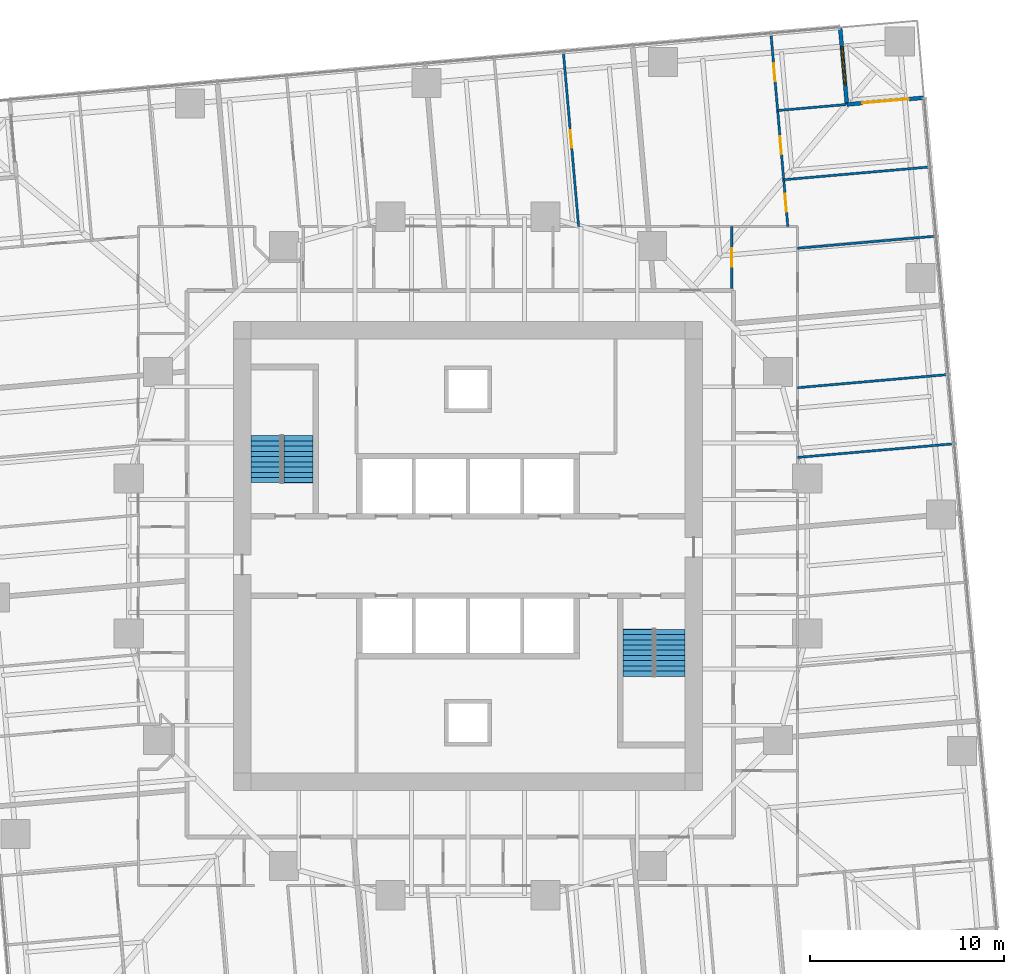
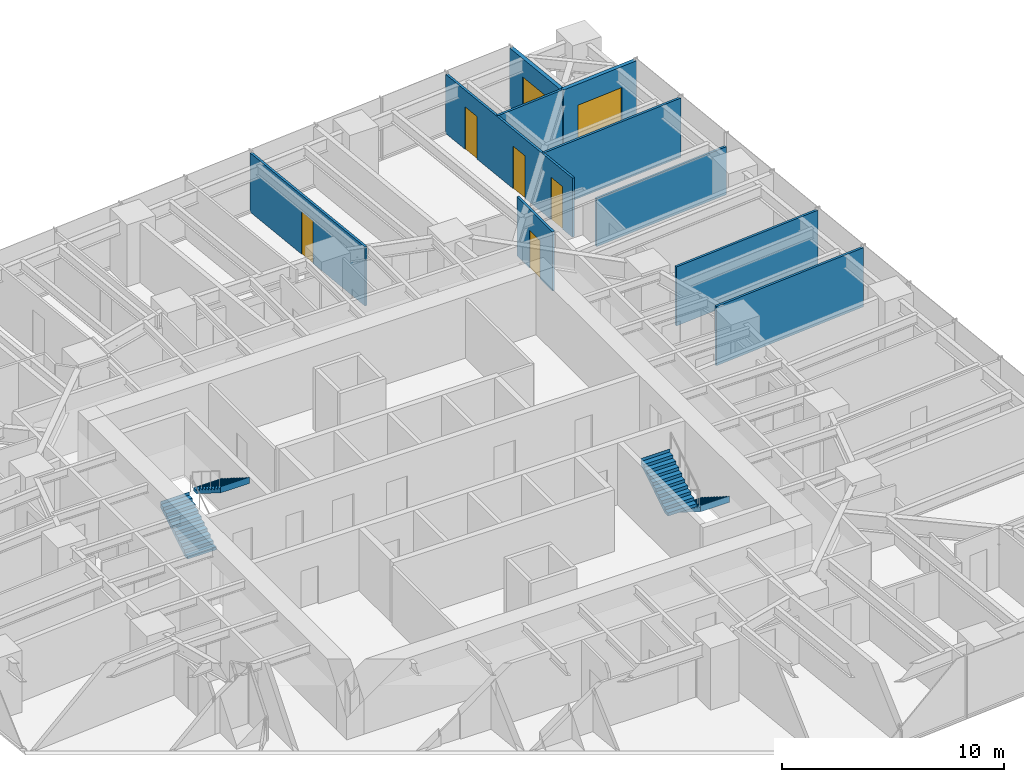
# One storey, part 13 of 14: 10 walls, 6 doors, 4 stair flights, 1 window, 7 openings, 2 elements without a shape of their own.
"""IFC4 building model written with IfcOpenShell, lengths in metres."""

from ifc_helpers import new_model, si_unit, direction, frame, frame_2d, origin, place, context, subcontext, project, spatial, polyline, rectangle, outline, extrude, material, layer, layer_set, type_object, element, fill, aggregate, save


model = new_model("IFC4")

# Units and contexts
model_context = context("Model", 3, precision=1e-05, world=origin(), true_north=direction((0.0, 1.0)))
body_context = subcontext(model_context, "Body", "Model", "MODEL_VIEW")
ifc_project = project(units=[si_unit("LENGTHUNIT", "METRE"), si_unit("AREAUNIT", "SQUARE_METRE"), si_unit("VOLUMEUNIT", "CUBIC_METRE"), si_unit("PLANEANGLEUNIT", "RADIAN"), si_unit("MASSUNIT", "GRAM", prefix="KILO")], contexts=[model_context])

# Site, building, storey
site_placement = place(None, origin())
site = spatial("IfcSite", under=ifc_project, at=site_placement, CompositionType="ELEMENT")
building_placement = place(site_placement, origin())
building = spatial("IfcBuilding", under=site, at=building_placement, Name="Torsade Residences", CompositionType="ELEMENT")
storey_placement = place(building_placement, frame((0.0, 0.0, 50.60009765625)))
storey = spatial("IfcBuildingStorey", under=building, at=storey_placement, Name="L13", CompositionType="ELEMENT", Elevation=50.60009765625)

# Walls
ifc_material_1 = material(Name="Plasterboard on steel stud", Category="steel")
ifc_layer_1 = layer(ifc_material_1, 0.1201171875)
ifc_layer_set_1 = layer_set([ifc_layer_1], Name="Plasterboard on steel stud")
wall_type_1 = type_object("IfcWallType", Name="PARTITION 120", PredefinedType="PARTITIONING", material=ifc_layer_set_1)
wall_1_placement = place(storey_placement, frame((57.0, 35.084228515625, 0.0), z_axis=(0.0, 0.0, 1.0), x_axis=(0.99619214338, 0.087184938313, 0.0)))
element("IfcWall", 1, at=wall_1_placement, inside=storey, type_object=wall_type_1, Name="Partition L13", PredefinedType="PARTITIONING", context=body_context, shape_type="SweptSolid", body=[
    extrude(rectangle(XDim=8.08154296875, YDim=0.1201171875, at=frame_2d((4.040771484375, 0.0))), origin(), (0.0, 0.0, 1.0), 3.25),
])
wall_2_placement = place(storey_placement, frame((57.0, 38.681396484375, 0.0), z_axis=(0.0, 0.0, 1.0), x_axis=(0.996195047824, 0.0871517452, 0.0)))
element("IfcWall", 2, at=wall_2_placement, inside=storey, type_object=wall_type_1, Name="Partition L13", PredefinedType="PARTITIONING", context=body_context, shape_type="SweptSolid", body=[
    extrude(rectangle(XDim=7.76806640625, YDim=0.1201171875, at=frame_2d((3.884033203125, 0.0))), origin(), (0.0, 0.0, 1.0), 3.25),
])

# Wall, opening, door
wall_3_placement = place(storey_placement, frame((53.60595703125, 47.0, 0.0), z_axis=(0.0, 0.0, 1.0), x_axis=(0.0, -1.0, 0.0)))
wall_3 = element("IfcWall", 3, at=wall_3_placement, inside=storey, type_object=wall_type_1, Name="Partition L13", PredefinedType="PARTITIONING", context=body_context, shape_type="SweptSolid", body=[
    extrude(rectangle(XDim=3.199951171875, YDim=0.1201171875, at=frame_2d((1.60009765625, 0.0))), origin(), (0.0, 0.0, 1.0), 3.25),
])
opening_1_placement = place(wall_3_placement, frame((1.1201171875, 0.0, 0.0)))
opening_1 = element("IfcOpeningElement", 4, at=opening_1_placement, cuts=wall_3, Name="Opening D05", PredefinedType="OPENING", context=body_context, shape_type="SweptSolid", body=[
    extrude(rectangle(XDim=0.9599609375, YDim=2.10009765625, at=frame_2d((0.47998046875, 1.050048828125))), frame((0.0, 0.070068359375, 0.0), z_axis=(0.0, -1.0, 0.0), x_axis=(1.0, 0.0, 0.0)), (0.0, 0.0, 1.0), 0.14013671875),
])
ifc_material_2 = material(Name="Hollow-core timber door in a steel cavity frame", Category="steel")
door_type_1 = type_object("IfcDoorType", Name="BATHROOM CAVITY SLIDING DOOR 960", OperationType="SLIDING_TO_LEFT", PredefinedType="DOOR", material=ifc_material_2)
door_1_placement = place(opening_1_placement, origin())
door_1 = element("IfcDoor", 5, at=door_1_placement, inside=storey, type_object=door_type_1, Name="Door Kitchen and dining to Bathroom", OperationType="SLIDING_TO_LEFT", OverallHeight=2.10009765625, OverallWidth=0.9599609375, PredefinedType="DOOR", context=body_context, shape_type="SweptSolid", body=[
    extrude(rectangle(XDim=0.9599609375, YDim=2.10009765625, at=frame_2d((0.47998046875, 1.050048828125))), frame((0.0, 0.02490234375, 0.0), z_axis=(0.0, -1.0, 0.0), x_axis=(1.0, 0.0, 0.0)), (0.0, 0.0, 1.0), 0.050048828125),
])
fill(opening_1, door_1)

# Wall, openings, doors
wall_4_placement = place(storey_placement, frame((55.62939453125, 56.924560546875, 0.0), z_axis=(0.0, 0.0, 1.0), x_axis=(0.087167862274, -0.996193637696, 0.0)))
wall_4 = element("IfcWall", 6, at=wall_4_placement, inside=storey, type_object=wall_type_1, Name="Partition L13", PredefinedType="PARTITIONING", context=body_context, shape_type="SweptSolid", body=[
    extrude(rectangle(XDim=9.96240234375, YDim=0.1201171875, at=frame_2d((4.981201171875, 0.0))), origin(), (0.0, 0.0, 1.0), 3.25),
])
opening_2_placement = place(wall_4_placement, frame((1.525146484375, 0.0, 0.0)))
opening_2 = element("IfcOpeningElement", 7, at=opening_2_placement, cuts=wall_4, Name="Opening D02", PredefinedType="OPENING", context=body_context, shape_type="SweptSolid", body=[
    extrude(rectangle(XDim=0.919921875, YDim=2.340087890625, at=frame_2d((0.4599609375, 1.169921875))), frame((0.0, 0.070068359375, 0.0), z_axis=(0.0, -1.0, 0.0), x_axis=(1.0, 0.0, 0.0)), (0.0, 0.0, 1.0), 0.14013671875),
])
opening_3_placement = place(wall_4_placement, frame((5.291748046875, 0.0, 0.0)))
opening_3 = element("IfcOpeningElement", 8, at=opening_3_placement, cuts=wall_4, Name="Opening D02", PredefinedType="OPENING", context=body_context, shape_type="SweptSolid", body=[
    extrude(rectangle(XDim=0.919921875, YDim=2.340087890625, at=frame_2d((0.4599609375, 1.169921875))), frame((0.0, 0.070068359375, 0.0), z_axis=(0.0, -1.0, 0.0), x_axis=(1.0, 0.0, 0.0)), (0.0, 0.0, 1.0), 0.14013671875),
])
opening_4_placement = place(wall_4_placement, frame((8.267822265625, 0.0, 0.0)))
opening_4 = element("IfcOpeningElement", 9, at=opening_4_placement, cuts=wall_4, Name="Opening D02", PredefinedType="OPENING", context=body_context, shape_type="SweptSolid", body=[
    extrude(rectangle(XDim=0.919921875, YDim=2.340087890625, at=frame_2d((0.4599609375, 1.169921875))), frame((0.0, 0.070068359375, 0.0), z_axis=(0.0, -1.0, 0.0), x_axis=(1.0, 0.0, 0.0)), (0.0, 0.0, 1.0), 0.14013671875),
])
ifc_material_3 = material(Name="Hollow-core timber door", Category="wood")
door_type_2 = type_object("IfcDoorType", Name="INTERNAL DOOR 920x2340", OperationType="NOTDEFINED", PredefinedType="DOOR", material=ifc_material_3)
door_2_placement = place(opening_2_placement, origin())
door_2 = element("IfcDoor", 10, at=door_2_placement, inside=storey, type_object=door_type_2, Name="Door Living room to Family room", OperationType="SINGLE_SWING_RIGHT", OverallHeight=2.340087890625, OverallWidth=0.919921875, PredefinedType="DOOR", context=body_context, shape_type="SweptSolid", body=[
    extrude(rectangle(XDim=0.919921875, YDim=2.340087890625, at=frame_2d((0.4599609375, 1.169921875))), frame((0.0, 0.02490234375, 0.0), z_axis=(0.0, -1.0, 0.0), x_axis=(1.0, 0.0, 0.0)), (0.0, 0.0, 1.0), 0.050048828125),
])
fill(opening_2, door_2)
door_3_placement = place(opening_3_placement, origin())
door_3 = element("IfcDoor", 11, at=door_3_placement, inside=storey, type_object=door_type_2, Name="Door Living room to Bedroom 1", OperationType="SINGLE_SWING_RIGHT", OverallHeight=2.340087890625, OverallWidth=0.919921875, PredefinedType="DOOR", context=body_context, shape_type="SweptSolid", body=[
    extrude(rectangle(XDim=0.919921875, YDim=2.340087890625, at=frame_2d((0.4599609375, 1.169921875))), frame((0.0, 0.02490234375, 0.0), z_axis=(0.0, -1.0, 0.0), x_axis=(1.0, 0.0, 0.0)), (0.0, 0.0, 1.0), 0.050048828125),
])
fill(opening_3, door_3)
door_4_placement = place(opening_4_placement, origin())
door_4 = element("IfcDoor", 12, at=door_4_placement, inside=storey, type_object=door_type_2, Name="Door Living room to Bedroom 2", OperationType="SINGLE_SWING_LEFT", OverallHeight=2.340087890625, OverallWidth=0.919921875, PredefinedType="DOOR", context=body_context, shape_type="SweptSolid", body=[
    extrude(rectangle(XDim=0.919921875, YDim=2.340087890625, at=frame_2d((0.4599609375, 1.169921875))), frame((0.0, 0.02490234375, 0.0), z_axis=(0.0, -1.0, 0.0), x_axis=(1.0, 0.0, 0.0)), (0.0, 0.0, 1.0), 0.050048828125),
])
fill(opening_4, door_4)

# Walls
wall_5_placement = place(storey_placement, frame((63.801513671875, 50.0673828125, 0.0), z_axis=(0.0, 0.0, 1.0), x_axis=(-0.99619417419, -0.087161730761, 0.0)))
element("IfcWall", 13, at=wall_5_placement, inside=storey, type_object=wall_type_1, Name="Partition L13", PredefinedType="PARTITIONING", context=body_context, shape_type="SweptSolid", body=[
    extrude(rectangle(XDim=7.543212890625, YDim=0.1201171875, at=frame_2d((3.771484375, 0.0))), origin(), (0.0, 0.0, 1.0), 3.25),
])
wall_6_placement = place(storey_placement, frame((55.974609375, 52.979736328125, 0.0), z_axis=(0.0, 0.0, 1.0), x_axis=(0.996194166221, 0.087161821847, 0.0)))
element("IfcWall", 14, at=wall_6_placement, inside=storey, type_object=wall_type_1, Name="Partition L13", PredefinedType="PARTITIONING", context=body_context, shape_type="SweptSolid", body=[
    extrude(rectangle(XDim=3.543212890625, YDim=0.1201171875, at=frame_2d((1.771484375, 0.0))), origin(), (0.0, 0.0, 1.0), 3.25),
])
wall_7_placement = place(storey_placement, frame((64.11376953125, 46.497802734375, 0.0), z_axis=(0.0, 0.0, 1.0), x_axis=(-0.996195424363, -0.087147441029, 0.0)))
element("IfcWall", 15, at=wall_7_placement, inside=storey, type_object=wall_type_1, Name="Partition L13", PredefinedType="PARTITIONING", context=body_context, shape_type="SweptSolid", body=[
    extrude(rectangle(XDim=7.140869140625, YDim=0.1201171875, at=frame_2d((3.5703125, 0.0))), origin(), (0.0, 0.0, 1.0), 2.637939453125),
])

# Wall, opening, door
wall_8_placement = place(storey_placement, frame((45.706787109375, 47.0, 0.0), z_axis=(0.0, 0.0, 1.0), x_axis=(-0.087160907995, 0.996194246178, 0.0)))
wall_8 = element("IfcWall", 16, at=wall_8_placement, inside=storey, type_object=wall_type_1, Name="Partition L13", PredefinedType="PARTITIONING", context=body_context, shape_type="SweptSolid", body=[
    extrude(rectangle(XDim=9.022216796875, YDim=0.1201171875, at=frame_2d((4.51123046875, 0.0))), origin(), (0.0, 0.0, 1.0), 3.25),
])
opening_5_placement = place(wall_8_placement, frame((4.071044921875, 0.0, 0.0)))
opening_5 = element("IfcOpeningElement", 17, at=opening_5_placement, cuts=wall_8, Name="Opening D02", PredefinedType="OPENING", context=body_context, shape_type="SweptSolid", body=[
    extrude(rectangle(XDim=0.919921875, YDim=2.340087890625, at=frame_2d((0.4599609375, 1.169921875))), frame((0.0, 0.070068359375, 0.0), z_axis=(0.0, -1.0, 0.0), x_axis=(1.0, 0.0, 0.0)), (0.0, 0.0, 1.0), 0.14013671875),
])
door_5_placement = place(opening_5_placement, origin())
door_5 = element("IfcDoor", 18, at=door_5_placement, inside=storey, type_object=door_type_2, Name="Door Living room to Bedroom 1", OperationType="SINGLE_SWING_RIGHT", OverallHeight=2.340087890625, OverallWidth=0.919921875, PredefinedType="DOOR", context=body_context, shape_type="SweptSolid", body=[
    extrude(rectangle(XDim=0.919921875, YDim=2.340087890625, at=frame_2d((0.4599609375, 1.169921875))), frame((0.0, 0.02490234375, 0.0), z_axis=(0.0, -1.0, 0.0), x_axis=(1.0, 0.0, 0.0)), (0.0, 0.0, 1.0), 0.050048828125),
])
fill(opening_5, door_5)

ifc_material_4 = material(Name="Stone-faced precast concrete 40 MPa panel", Category="masonry")
ifc_layer_2 = layer(ifc_material_4, 0.199951171875)
ifc_layer_set_2 = layer_set([ifc_layer_2], Name="Stone-faced precast concrete 40 MPa panel")
wall_type_2 = type_object("IfcWallType", Name="TERRACE WALL 200", PredefinedType="SOLIDWALL", material=ifc_layer_set_2)
wall_9_placement = place(storey_placement, frame((63.529052734375, 53.640625, 0.0), z_axis=(0.0, 0.0, 1.0), x_axis=(-0.99619418125, -0.087161650072, 0.0)))
wall_9 = element("IfcWall", 19, at=wall_9_placement, inside=storey, type_object=wall_type_2, Name="Terrace wall L13 5", PredefinedType="SOLIDWALL", context=body_context, shape_type="SweptSolid", body=[
    extrude(rectangle(XDim=3.999755859375, YDim=0.199951171875, at=frame_2d((2.0, 0.0))), origin(), (0.0, 0.0, 1.0), 3.25),
])
opening_6_placement = place(wall_9_placement, frame((0.800048828125, 0.0, 0.0)))
opening_6 = element("IfcOpeningElement", 20, at=opening_6_placement, cuts=wall_9, Name="Opening D10A", PredefinedType="OPENING", context=body_context, shape_type="SweptSolid", body=[
    extrude(rectangle(XDim=2.39990234375, YDim=2.10009765625, at=frame_2d((1.199951171875, 1.050048828125))), frame((0.0, 0.10986328125, 0.0), z_axis=(0.0, -1.0, 0.0), x_axis=(1.0, 0.0, 0.0)), (0.0, 0.0, 1.0), 0.219970703125),
])
ifc_material_5 = material(Name="Aluminium-framed glass door", Category="aluminium")
door_type_3 = type_object("IfcDoorType", Name="TERRACE SLIDING DOOR 2400x2100", OperationType="SLIDING_TO_LEFT", PredefinedType="DOOR", material=ifc_material_5)
door_6_placement = place(opening_6_placement, origin())
door_6 = element("IfcDoor", 21, at=door_6_placement, inside=storey, type_object=door_type_3, Name="Terrace door L13 5", OperationType="SLIDING_TO_LEFT", OverallHeight=2.10009765625, OverallWidth=2.39990234375, PredefinedType="DOOR", context=body_context, shape_type="SweptSolid", body=[
    extrude(rectangle(XDim=2.39990234375, YDim=2.10009765625, at=frame_2d((1.199951171875, 1.050048828125))), frame((0.0, 0.02490234375, 0.0), z_axis=(0.0, -1.0, 0.0), x_axis=(1.0, 0.0, 0.0)), (0.0, 0.0, 1.0), 0.050048828125),
])
fill(opening_6, door_6)

# Wall, opening, window
wall_10_placement = place(storey_placement, frame((59.54443359375, 53.2919921875, 0.0), z_axis=(0.0, 0.0, 1.0), x_axis=(-0.087156350505, 0.99619464492, 0.0)))
wall_10 = element("IfcWall", 22, at=wall_10_placement, inside=storey, type_object=wall_type_2, Name="Terrace wall L13 6", PredefinedType="SOLIDWALL", context=body_context, shape_type="SweptSolid", body=[
    extrude(rectangle(XDim=4.0, YDim=0.199951171875, at=frame_2d((2.0, 0.0))), origin(), (0.0, 0.0, 1.0), 3.25),
])
opening_7_placement = place(wall_10_placement, frame((1.0, 0.0, 0.449951171875)))
opening_7 = element("IfcOpeningElement", 23, at=opening_7_placement, cuts=wall_10, Name="Opening W1B", PredefinedType="OPENING", context=body_context, shape_type="SweptSolid", body=[
    extrude(rectangle(XDim=2.0, YDim=1.800048828125, at=frame_2d((1.0, 0.89990234375))), frame((0.0, 0.10986328125, 0.0), z_axis=(0.0, -1.0, 0.0), x_axis=(1.0, 0.0, 0.0)), (0.0, 0.0, 1.0), 0.219970703125),
])
ifc_material_6 = material(Name="Aluminium-framed glass window", Category="aluminium")
window_type = type_object("IfcWindowType", Name="TERRACE WINDOW 2000x1800", PartitioningType="SINGLE_PANEL", PredefinedType="WINDOW", material=ifc_material_6)
window_placement = place(opening_7_placement, origin())
window = element("IfcWindow", 24, at=window_placement, inside=storey, type_object=window_type, Name="Terrace window L13 6", OverallHeight=1.800048828125, OverallWidth=2.0, PartitioningType="SINGLE_PANEL", PredefinedType="WINDOW", context=body_context, shape_type="SweptSolid", body=[
    extrude(rectangle(XDim=2.0, YDim=1.800048828125, at=frame_2d((1.0, 0.89990234375))), frame((0.0, 0.030029296875, 0.0), z_axis=(0.0, -1.0, 0.0), x_axis=(1.0, 0.0, 0.0)), (0.0, 0.0, 1.0), 0.06005859375),
])
fill(opening_7, window)

# Stair, stair flights
ifc_material_7 = material(Name="Precast concrete 40 MPa", Category="concrete")
stair_type = type_object("IfcStairType", Name="HALF-TURN FIRE STAIR 1500x3400", PredefinedType="HALF_TURN_STAIR", material=ifc_material_7)
stair_1_placement = place(storey_placement, origin())
stair_1 = element("IfcStair", 25, at=stair_1_placement, inside=storey, type_object=stair_type, Name="Stair ST1 L13", PredefinedType="HALF_TURN_STAIR")
ifc_material_8 = material(Name="Precast concrete 40 MPa", Category="concrete")
stair_flight_type = type_object("IfcStairFlightType", Name="PRECAST STAIR FLIGHT 1500x1700", PredefinedType="STRAIGHT", material=ifc_material_8)
stair_flight_1_placement = place(storey_placement, frame((29.550048828125, 33.780029296875, 0.0), z_axis=(0.0, 0.0, 1.0), x_axis=(0.0, 1.0, 0.0)))
stair_flight_1 = element("IfcStairFlight", 26, at=stair_flight_1_placement, type_object=stair_flight_type, Name="ST1 flight 1", NumberOfRisers=10, NumberOfTreads=9, PredefinedType="STRAIGHT", RiserHeight=0.17, TreadLength=0.27, context=body_context, shape_type="SweptSolid", body=[
    extrude(outline(polyline([(0.0, 0.0), (0.0, 0.169921875), (0.27001953125, 0.169921875), (0.27001953125, 0.340087890625), (0.5400390625, 0.340087890625), (0.5400390625, 0.510009765625), (0.81005859375, 0.510009765625), (0.81005859375, 0.679931640625), (1.080078125, 0.679931640625), (1.080078125, 0.85009765625), (1.35009765625, 0.85009765625), (1.35009765625, 1.02001953125), (1.6201171875, 1.02001953125), (1.6201171875, 1.18994140625), (1.889892578125, 1.18994140625), (1.889892578125, 1.360107421875), (2.159912109375, 1.360107421875), (2.159912109375, 1.530029296875), (2.429931640625, 1.530029296875), (2.429931640625, 1.699951171875), (2.43994140625, 1.699951171875), (2.43994140625, 1.352783203125), (2.429931640625, 1.352783203125), (0.28125, 0.0), (0.0, 0.0)])), frame((0.0, 0.75, 0.0), z_axis=(0.0, -1.0, 0.0), x_axis=(1.0, 0.0, 0.0)), (0.0, 0.0, 1.0), 1.5),
])
stair_flight_2_placement = place(storey_placement, frame((31.25, 36.2099609375, 1.699951171875), z_axis=(0.0, 0.0, 1.0), x_axis=(0.0, -1.0, 0.0)))
stair_flight_2 = element("IfcStairFlight", 27, at=stair_flight_2_placement, type_object=stair_flight_type, Name="ST1 flight 2", NumberOfRisers=10, NumberOfTreads=9, PredefinedType="STRAIGHT", RiserHeight=0.17, TreadLength=0.27, context=body_context, shape_type="SweptSolid", body=[
    extrude(outline(polyline([(0.0, 0.0), (0.0, 0.169921875), (0.27001953125, 0.169921875), (0.27001953125, 0.340087890625), (0.5400390625, 0.340087890625), (0.5400390625, 0.510009765625), (0.81005859375, 0.510009765625), (0.81005859375, 0.679931640625), (1.080078125, 0.679931640625), (1.080078125, 0.85009765625), (1.35009765625, 0.85009765625), (1.35009765625, 1.02001953125), (1.6201171875, 1.02001953125), (1.6201171875, 1.18994140625), (1.889892578125, 1.18994140625), (1.889892578125, 1.360107421875), (2.159912109375, 1.360107421875), (2.159912109375, 1.530029296875), (2.429931640625, 1.530029296875), (2.429931640625, 1.699951171875), (2.43994140625, 1.699951171875), (2.43994140625, 1.352783203125), (2.429931640625, 1.352783203125), (0.28125, 0.0), (0.0, 0.0)])), frame((0.0, 0.75, 0.0), z_axis=(0.0, -1.0, 0.0), x_axis=(1.0, 0.0, 0.0)), (0.0, 0.0, 1.0), 1.5),
])
aggregate(stair_1, [stair_flight_1, stair_flight_2])

stair_2_placement = place(storey_placement, origin())
stair_2 = element("IfcStair", 28, at=stair_2_placement, inside=storey, type_object=stair_type, Name="Stair ST2 L13", PredefinedType="HALF_TURN_STAIR")
stair_flight_3_placement = place(storey_placement, frame((50.449951171875, 26.219970703125, 0.0), z_axis=(0.0, 0.0, 1.0), x_axis=(0.0, -1.0, 0.0)))
stair_flight_3 = element("IfcStairFlight", 29, at=stair_flight_3_placement, type_object=stair_flight_type, Name="ST2 flight 1", NumberOfRisers=10, NumberOfTreads=9, PredefinedType="STRAIGHT", RiserHeight=0.17, TreadLength=0.27, context=body_context, shape_type="SweptSolid", body=[
    extrude(outline(polyline([(0.0, 0.0), (0.0, 0.169921875), (0.27001953125, 0.169921875), (0.27001953125, 0.340087890625), (0.5400390625, 0.340087890625), (0.5400390625, 0.510009765625), (0.81005859375, 0.510009765625), (0.81005859375, 0.679931640625), (1.080078125, 0.679931640625), (1.080078125, 0.85009765625), (1.35009765625, 0.85009765625), (1.35009765625, 1.02001953125), (1.6201171875, 1.02001953125), (1.6201171875, 1.18994140625), (1.889892578125, 1.18994140625), (1.889892578125, 1.360107421875), (2.159912109375, 1.360107421875), (2.159912109375, 1.530029296875), (2.429931640625, 1.530029296875), (2.429931640625, 1.699951171875), (2.43994140625, 1.699951171875), (2.43994140625, 1.352783203125), (2.429931640625, 1.352783203125), (0.28125, 0.0), (0.0, 0.0)])), frame((0.0, 0.75, 0.0), z_axis=(0.0, -1.0, 0.0), x_axis=(1.0, 0.0, 0.0)), (0.0, 0.0, 1.0), 1.5),
])
stair_flight_4_placement = place(storey_placement, frame((48.75, 23.7900390625, 1.699951171875), z_axis=(0.0, 0.0, 1.0), x_axis=(0.0, 1.0, 0.0)))
stair_flight_4 = element("IfcStairFlight", 30, at=stair_flight_4_placement, type_object=stair_flight_type, Name="ST2 flight 2", NumberOfRisers=10, NumberOfTreads=9, PredefinedType="STRAIGHT", RiserHeight=0.17, TreadLength=0.27, context=body_context, shape_type="SweptSolid", body=[
    extrude(outline(polyline([(0.0, 0.0), (0.0, 0.169921875), (0.27001953125, 0.169921875), (0.27001953125, 0.340087890625), (0.5400390625, 0.340087890625), (0.5400390625, 0.510009765625), (0.81005859375, 0.510009765625), (0.81005859375, 0.679931640625), (1.080078125, 0.679931640625), (1.080078125, 0.85009765625), (1.35009765625, 0.85009765625), (1.35009765625, 1.02001953125), (1.6201171875, 1.02001953125), (1.6201171875, 1.18994140625), (1.889892578125, 1.18994140625), (1.889892578125, 1.360107421875), (2.159912109375, 1.360107421875), (2.159912109375, 1.530029296875), (2.429931640625, 1.530029296875), (2.429931640625, 1.699951171875), (2.43994140625, 1.699951171875), (2.43994140625, 1.352783203125), (2.429931640625, 1.352783203125), (0.28125, 0.0), (0.0, 0.0)])), frame((0.0, 0.75, 0.0), z_axis=(0.0, -1.0, 0.0), x_axis=(1.0, 0.0, 0.0)), (0.0, 0.0, 1.0), 1.5),
])
aggregate(stair_2, [stair_flight_3, stair_flight_4])

save(model, "model.ifc")
